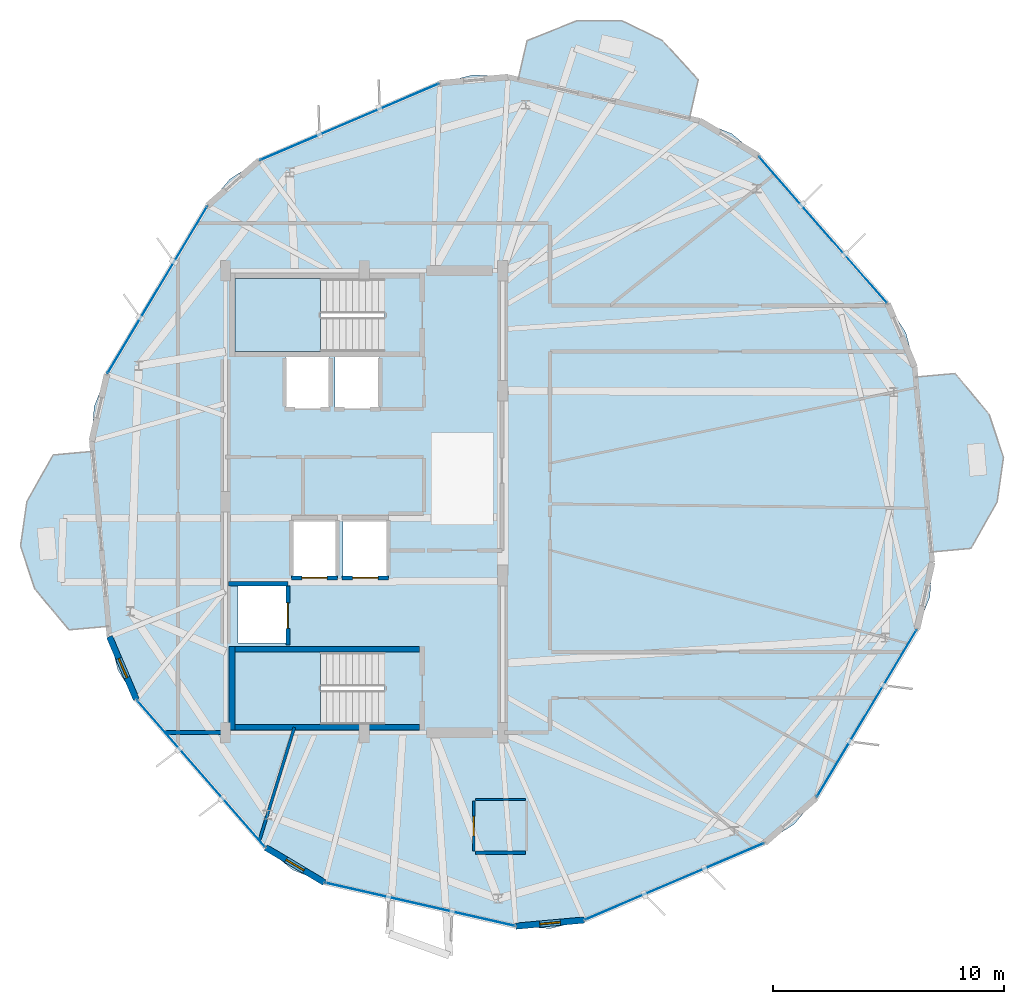
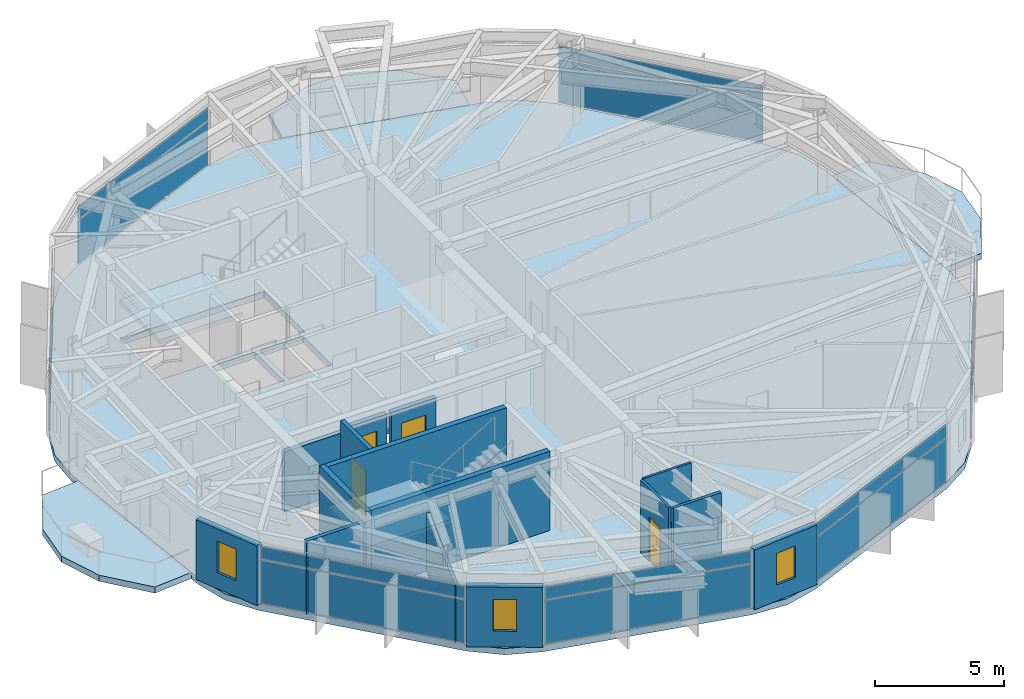
# One storey, part 17 of 23: 15 walls, 14 plates, 6 slabs, 4 doors, 3 windows, 7 openings, 9 elements without a shape of their own.
"""IFC4 building model written with IfcOpenShell, lengths in metres."""

from ifc_helpers import new_model, si_unit, direction, frame, frame_2d, origin, origin_2d, place, context, subcontext, project, spatial, polyline, rectangle, outline, extrude, material, layer, layer_set, type_object, element, fill, aggregate, save


model = new_model("IFC4")

# Units and contexts
model_context = context("Model", 3, precision=1e-05, world=origin(), true_north=direction((0.0, 1.0)))
body_context = subcontext(model_context, "Body", "Model", "MODEL_VIEW")
ifc_project = project(units=[si_unit("LENGTHUNIT", "METRE"), si_unit("AREAUNIT", "SQUARE_METRE"), si_unit("VOLUMEUNIT", "CUBIC_METRE"), si_unit("PLANEANGLEUNIT", "RADIAN"), si_unit("MASSUNIT", "GRAM", prefix="KILO")], contexts=[model_context])

# Site, building, storey
site_placement = place(None, origin())
site = spatial("IfcSite", under=ifc_project, at=site_placement, CompositionType="ELEMENT")
building_placement = place(site_placement, origin())
building = spatial("IfcBuilding", under=site, at=building_placement, Name="Soratama Intermodal Tower", CompositionType="ELEMENT")
storey_placement = place(building_placement, frame((0.0, 0.0, 250.0)))
storey = spatial("IfcBuildingStorey", under=building, at=storey_placement, Name="L63", CompositionType="ELEMENT", Elevation=250.0)

# Curtain wall, plates
ifc_material_1 = material(Name="Double-glazed aluminium curtain wall", Category="aluminium")
ifc_layer_1 = layer(ifc_material_1, 0.159912109375)
ifc_layer_set_1 = layer_set([ifc_layer_1], Name="Double-glazed aluminium curtain wall")
curtain_wall_type = type_object("IfcCurtainWallType", Name="CW-SYS-5", PredefinedType="NOTDEFINED", material=ifc_layer_set_1)
curtain_wall_1_placement = place(storey_placement, origin())
curtain_wall_1 = element("IfcCurtainWall", 1, at=curtain_wall_1_placement, inside=storey, type_object=curtain_wall_type, Name="L63 Faceted Curtain Wall F02", PredefinedType="NOTDEFINED")
ifc_material_2 = material(Name="Low-E laminated double glazing", Category="glass")
ifc_layer_2 = layer(ifc_material_2, 0.02001953125)
ifc_layer_set_2 = layer_set([ifc_layer_2], Name="Low-E laminated double glazing")
plate_type = type_object("IfcPlateType", Name="PT-CWP-5", PredefinedType="CURTAIN_PANEL", material=ifc_layer_set_2)
plate_1_placement = place(storey_placement, frame((37.9677734375, 41.43896484375, 0.06005859375), z_axis=(0.0, 0.0, 1.0), x_axis=(-0.919410746606, -0.393298714752, 0.0)))
plate_1 = element("IfcPlate", 2, at=plate_1_placement, type_object=plate_type, Name="CW-5 panel 1.1", PredefinedType="CURTAIN_PANEL", context=body_context, shape_type="SweptSolid", body=[
    extrude(rectangle(XDim=8.3798828125, YDim=0.028076171875, at=origin_2d()), origin(), (0.0, 0.0, 1.0), 2.06005859375),
])
plate_2_placement = place(storey_placement, frame((37.9677734375, 41.43896484375, 2.18017578125), z_axis=(0.0, 0.0, 1.0), x_axis=(-0.919410746606, -0.393298714752, 0.0)))
plate_2 = element("IfcPlate", 3, at=plate_2_placement, type_object=plate_type, Name="CW-5 panel 1.2", PredefinedType="CURTAIN_PANEL", context=body_context, shape_type="SweptSolid", body=[
    extrude(rectangle(XDim=8.3798828125, YDim=0.028076171875, at=origin_2d()), origin(), (0.0, 0.0, 1.0), 0.589111328125),
])
aggregate(curtain_wall_1, [plate_1, plate_2])

curtain_wall_2_placement = place(storey_placement, origin())
curtain_wall_2 = element("IfcCurtainWall", 4, at=curtain_wall_2_placement, inside=storey, type_object=curtain_wall_type, Name="L63 Faceted Curtain Wall F03", PredefinedType="NOTDEFINED")
plate_3_placement = place(storey_placement, frame((29.648193359375, 34.166015625, 0.06005859375), z_axis=(0.0, 0.0, 1.0), x_axis=(-0.512643316385, -0.85860167142, 0.0)))
plate_3 = element("IfcPlate", 5, at=plate_3_placement, type_object=plate_type, Name="CW-5 panel 1.1", PredefinedType="CURTAIN_PANEL", context=body_context, shape_type="SweptSolid", body=[
    extrude(rectangle(XDim=8.3798828125, YDim=0.028076171875, at=origin_2d()), origin(), (0.0, 0.0, 1.0), 2.06005859375),
])
plate_4_placement = place(storey_placement, frame((29.648193359375, 34.166015625, 2.18017578125), z_axis=(0.0, 0.0, 1.0), x_axis=(-0.512643316385, -0.85860167142, 0.0)))
plate_4 = element("IfcPlate", 6, at=plate_4_placement, type_object=plate_type, Name="CW-5 panel 1.2", PredefinedType="CURTAIN_PANEL", context=body_context, shape_type="SweptSolid", body=[
    extrude(rectangle(XDim=8.3798828125, YDim=0.028076171875, at=origin_2d()), origin(), (0.0, 0.0, 1.0), 0.589111328125),
])
aggregate(curtain_wall_2, [plate_3, plate_4])

curtain_wall_3_placement = place(storey_placement, origin())
curtain_wall_3 = element("IfcCurtainWall", 7, at=curtain_wall_3_placement, inside=storey, type_object=curtain_wall_type, Name="L63 Faceted Curtain Wall F05", PredefinedType="NOTDEFINED")
plate_5_placement = place(storey_placement, frame((31.538818359375, 13.232177734375, 0.06005859375), z_axis=(0.0, 0.0, 1.0), x_axis=(0.658158875805, -0.752879070103, 0.0)))
plate_5 = element("IfcPlate", 8, at=plate_5_placement, type_object=plate_type, Name="CW-5 panel 1.1", PredefinedType="CURTAIN_PANEL", context=body_context, shape_type="SweptSolid", body=[
    extrude(rectangle(XDim=8.3798828125, YDim=0.028076171875, at=origin_2d()), origin(), (0.0, 0.0, 1.0), 2.06005859375),
])
plate_6_placement = place(storey_placement, frame((31.538818359375, 13.232177734375, 2.18017578125), z_axis=(0.0, 0.0, 1.0), x_axis=(0.658158875805, -0.752879070103, 0.0)))
plate_6 = element("IfcPlate", 9, at=plate_6_placement, type_object=plate_type, Name="CW-5 panel 1.2", PredefinedType="CURTAIN_PANEL", context=body_context, shape_type="SweptSolid", body=[
    extrude(rectangle(XDim=8.3798828125, YDim=0.028076171875, at=origin_2d()), origin(), (0.0, 0.0, 1.0), 0.589111328125),
])
aggregate(curtain_wall_3, [plate_5, plate_6])

curtain_wall_4_placement = place(storey_placement, origin())
curtain_wall_4 = element("IfcCurtainWall", 10, at=curtain_wall_4_placement, inside=storey, type_object=curtain_wall_type, Name="L63 Faceted Curtain Wall F06", PredefinedType="NOTDEFINED")
plate_7_placement = place(storey_placement, frame((41.026611328125, 7.567138671875, 0.06005859375), z_axis=(0.0, 0.0, 1.0), x_axis=(0.97499479324, -0.222227705641, 0.0)))
plate_7 = element("IfcPlate", 11, at=plate_7_placement, type_object=plate_type, Name="CW-5 panel 1.1", PredefinedType="CURTAIN_PANEL", context=body_context, shape_type="SweptSolid", body=[
    extrude(rectangle(XDim=8.3798828125, YDim=0.028076171875, at=origin_2d()), origin(), (0.0, 0.0, 1.0), 2.06005859375),
])
plate_8_placement = place(storey_placement, frame((41.026611328125, 7.567138671875, 2.18017578125), z_axis=(0.0, 0.0, 1.0), x_axis=(0.97499479324, -0.222227705641, 0.0)))
plate_8 = element("IfcPlate", 12, at=plate_8_placement, type_object=plate_type, Name="CW-5 panel 1.2", PredefinedType="CURTAIN_PANEL", context=body_context, shape_type="SweptSolid", body=[
    extrude(rectangle(XDim=8.3798828125, YDim=0.028076171875, at=origin_2d()), origin(), (0.0, 0.0, 1.0), 0.589111328125),
])
aggregate(curtain_wall_4, [plate_7, plate_8])

curtain_wall_5_placement = place(storey_placement, origin())
curtain_wall_5 = element("IfcCurtainWall", 13, at=curtain_wall_5_placement, inside=storey, type_object=curtain_wall_type, Name="L63 Faceted Curtain Wall F07", PredefinedType="NOTDEFINED")
plate_9_placement = place(storey_placement, frame((52.0322265625, 8.56103515625, 0.06005859375), z_axis=(0.0, 0.0, 1.0), x_axis=(0.919410746606, 0.393298714752, 0.0)))
plate_9 = element("IfcPlate", 14, at=plate_9_placement, type_object=plate_type, Name="CW-5 panel 1.1", PredefinedType="CURTAIN_PANEL", context=body_context, shape_type="SweptSolid", body=[
    extrude(rectangle(XDim=8.3798828125, YDim=0.028076171875, at=origin_2d()), origin(), (0.0, 0.0, 1.0), 2.06005859375),
])
plate_10_placement = place(storey_placement, frame((52.0322265625, 8.56103515625, 2.18017578125), z_axis=(0.0, 0.0, 1.0), x_axis=(0.919410746606, 0.393298714752, 0.0)))
plate_10 = element("IfcPlate", 15, at=plate_10_placement, type_object=plate_type, Name="CW-5 panel 1.2", PredefinedType="CURTAIN_PANEL", context=body_context, shape_type="SweptSolid", body=[
    extrude(rectangle(XDim=8.3798828125, YDim=0.028076171875, at=origin_2d()), origin(), (0.0, 0.0, 1.0), 0.589111328125),
])
aggregate(curtain_wall_5, [plate_9, plate_10])

curtain_wall_6_placement = place(storey_placement, origin())
curtain_wall_6 = element("IfcCurtainWall", 16, at=curtain_wall_6_placement, inside=storey, type_object=curtain_wall_type, Name="L63 Faceted Curtain Wall F08", PredefinedType="NOTDEFINED")
plate_11_placement = place(storey_placement, frame((60.351806640625, 15.833984375, 0.06005859375), z_axis=(0.0, 0.0, 1.0), x_axis=(0.512643316385, 0.85860167142, 0.0)))
plate_11 = element("IfcPlate", 17, at=plate_11_placement, type_object=plate_type, Name="CW-5 panel 1.1", PredefinedType="CURTAIN_PANEL", context=body_context, shape_type="SweptSolid", body=[
    extrude(rectangle(XDim=8.3798828125, YDim=0.028076171875, at=origin_2d()), origin(), (0.0, 0.0, 1.0), 2.06005859375),
])
plate_12_placement = place(storey_placement, frame((60.351806640625, 15.833984375, 2.18017578125), z_axis=(0.0, 0.0, 1.0), x_axis=(0.512643316385, 0.85860167142, 0.0)))
plate_12 = element("IfcPlate", 18, at=plate_12_placement, type_object=plate_type, Name="CW-5 panel 1.2", PredefinedType="CURTAIN_PANEL", context=body_context, shape_type="SweptSolid", body=[
    extrude(rectangle(XDim=8.3798828125, YDim=0.028076171875, at=origin_2d()), origin(), (0.0, 0.0, 1.0), 0.589111328125),
])
aggregate(curtain_wall_6, [plate_11, plate_12])

curtain_wall_7_placement = place(storey_placement, origin())
curtain_wall_7 = element("IfcCurtainWall", 19, at=curtain_wall_7_placement, inside=storey, type_object=curtain_wall_type, Name="L63 Faceted Curtain Wall F10", PredefinedType="NOTDEFINED")
plate_13_placement = place(storey_placement, frame((58.461181640625, 36.767822265625, 0.06005859375), z_axis=(0.0, 0.0, 1.0), x_axis=(-0.658158875805, 0.752879070103, 0.0)))
plate_13 = element("IfcPlate", 20, at=plate_13_placement, type_object=plate_type, Name="CW-5 panel 1.1", PredefinedType="CURTAIN_PANEL", context=body_context, shape_type="SweptSolid", body=[
    extrude(rectangle(XDim=8.3798828125, YDim=0.028076171875, at=origin_2d()), origin(), (0.0, 0.0, 1.0), 2.06005859375),
])
plate_14_placement = place(storey_placement, frame((58.461181640625, 36.767822265625, 2.18017578125), z_axis=(0.0, 0.0, 1.0), x_axis=(-0.658158875805, 0.752879070103, 0.0)))
plate_14 = element("IfcPlate", 21, at=plate_14_placement, type_object=plate_type, Name="CW-5 panel 1.2", PredefinedType="CURTAIN_PANEL", context=body_context, shape_type="SweptSolid", body=[
    extrude(rectangle(XDim=8.3798828125, YDim=0.028076171875, at=origin_2d()), origin(), (0.0, 0.0, 1.0), 0.589111328125),
])
aggregate(curtain_wall_7, [plate_13, plate_14])

# Slabs
ifc_material_3 = material(Name="Concrete f'c 42 MPa", Category="concrete")
ifc_layer_3 = layer(ifc_material_3, 0.2900390625)
ifc_layer_set_3 = layer_set([ifc_layer_3], Name="Concrete f'c 42 MPa")
slab_type_1 = type_object("IfcSlabType", Name="SL-EXT-BAL2", PredefinedType="FLOOR", material=ifc_layer_set_3)
slab_1_placement = place(storey_placement, frame((0.0, 0.0, -0.2900390625)))
element("IfcSlab", 22, at=slab_1_placement, inside=storey, type_object=slab_type_1, Name="L63 Planted Balcony East 1", PredefinedType="FLOOR", context=body_context, shape_type="SweptSolid", body=[
    extrude(outline(polyline([(63.149169921875, 22.823486328125), (62.4658203125, 30.392578125), (64.1787109375, 30.547119140625), (65.6552734375, 28.77294921875), (66.273193359375, 26.9208984375), (65.996826171875, 24.98828125), (64.8623046875, 22.978271484375), (63.149169921875, 22.823486328125)])), origin(), (0.0, 0.0, 1.0), 0.2900390625),
])
slab_2_placement = place(storey_placement, frame((0.0, 0.0, -0.2900390625)))
element("IfcSlab", 23, at=slab_2_placement, inside=storey, type_object=slab_type_1, Name="L63 Planted Balcony North 2", PredefinedType="FLOOR", context=body_context, shape_type="SweptSolid", body=[
    extrude(outline(polyline([(52.678466796875, 41.58837890625), (45.2685546875, 43.277099609375), (45.65087890625, 44.9541015625), (47.794677734375, 45.81005859375), (49.746826171875, 45.82568359375), (51.49951171875, 44.9658203125), (53.060546875, 43.265380859375), (52.678466796875, 41.58837890625)])), origin(), (0.0, 0.0, 1.0), 0.2900390625),
])
slab_3_placement = place(storey_placement, frame((0.0, 0.0, -0.2900390625)))
element("IfcSlab", 24, at=slab_3_placement, inside=storey, type_object=slab_type_1, Name="L63 Planted Balcony West 3", PredefinedType="FLOOR", context=body_context, shape_type="SweptSolid", body=[
    extrude(outline(polyline([(26.850830078125, 27.176513671875), (27.5341796875, 19.607421875), (25.8212890625, 19.452880859375), (24.3447265625, 21.22705078125), (23.726806640625, 23.0791015625), (24.003173828125, 25.01171875), (25.1376953125, 27.021728515625), (26.850830078125, 27.176513671875)])), origin(), (0.0, 0.0, 1.0), 0.2900390625),
])

# Stair, slab
ifc_material_4 = material(Name="Concrete f'c 42 MPa", Category="concrete")
stair_type = type_object("IfcStairType", Name="ST-CORE-DOGLEG", PredefinedType="HALF_TURN_STAIR", material=ifc_material_4)
stair_1_placement = place(storey_placement, origin())
stair_1 = element("IfcStair", 25, at=stair_1_placement, inside=storey, type_object=stair_type, Name="L63 ST-1", PredefinedType="HALF_TURN_STAIR")
ifc_material_5 = material(Name="Concrete f'c 42 MPa", Category="concrete")
ifc_layer_4 = layer(ifc_material_5, 0.219970703125)
ifc_layer_set_4 = layer_set([ifc_layer_4], Name="Concrete f'c 42 MPa")
slab_type_2 = type_object("IfcSlabType", Name="SL-STAIR-LAND", PredefinedType="LANDING", material=ifc_layer_set_4)
slab_4_placement = place(storey_placement, frame((0.0, 0.0, 1.675048828125)))
slab_4 = element("IfcSlab", 26, at=slab_4_placement, type_object=slab_type_2, Name="ST-1 landing 1", PredefinedType="LANDING", context=body_context, shape_type="SweptSolid", body=[
    extrude(outline(polyline([(36.699951171875, 18.5), (33.0, 18.5), (33.0, 15.35009765625), (36.699951171875, 15.35009765625), (36.699951171875, 18.5)])), origin(), (0.0, 0.0, 1.0), 0.199951171875),
])
aggregate(stair_1, [slab_4])

stair_2_placement = place(storey_placement, origin())
stair_2 = element("IfcStair", 27, at=stair_2_placement, inside=storey, type_object=stair_type, Name="L63 ST-2", PredefinedType="HALF_TURN_STAIR")
slab_5_placement = place(storey_placement, frame((0.0, 0.0, 1.675048828125)))
slab_5 = element("IfcSlab", 28, at=slab_5_placement, type_object=slab_type_2, Name="ST-2 landing 1", PredefinedType="LANDING", context=body_context, shape_type="SweptSolid", body=[
    extrude(outline(polyline([(36.699951171875, 34.64990234375), (33.0, 34.64990234375), (33.0, 31.5), (36.699951171875, 31.5), (36.699951171875, 34.64990234375)])), origin(), (0.0, 0.0, 1.0), 0.199951171875),
])
aggregate(stair_2, [slab_5])

# Slab
ifc_material_6 = material(Name="Concrete f'c 42 MPa", Category="concrete")
ifc_layer_5 = layer(ifc_material_6, 0.280029296875)
ifc_layer_set_5 = layer_set([ifc_layer_5], Name="Concrete f'c 42 MPa")
slab_type_3 = type_object("IfcSlabType", Name="SL-TWR-280", PredefinedType="FLOOR", material=ifc_layer_set_5)
slab_6_placement = place(storey_placement, frame((0.0, 0.0, -0.300048828125)))
element("IfcSlab", 29, at=slab_6_placement, inside=storey, type_object=slab_type_3, Name="L63 Structural Floor Slab", PredefinedType="FLOOR", context=body_context, shape_type="SweptSolid", body=[
    extrude(outline(polyline([(55.664306640625, 39.967529296875), (54.510986328125, 40.9296875), (53.1171875, 41.48828125), (44.829833984375, 43.377197265625), (43.331298828125, 43.477783203125), (41.875244140625, 43.1103515625), (34.060302734375, 39.767333984375), (32.7890625, 38.968017578125), (31.826904296875, 37.81494140625), (27.469482421875, 30.51708984375), (26.910888671875, 29.123046875), (26.810302734375, 27.62451171875), (27.57470703125, 19.1591796875), (27.942138671875, 17.703125), (28.74169921875, 16.431884765625), (34.335693359375, 10.032470703125), (35.489013671875, 9.0703125), (36.8828125, 8.51171875), (45.170166015625, 6.622802734375), (46.668701171875, 6.522216796875), (48.124755859375, 6.8896484375), (55.939697265625, 10.232666015625), (57.2109375, 11.031982421875), (58.173095703125, 12.18505859375), (62.530517578125, 19.48291015625), (63.089111328125, 20.876953125), (63.189697265625, 22.37548828125), (62.42529296875, 30.8408203125), (62.057861328125, 32.296875), (61.25830078125, 33.568115234375), (55.664306640625, 39.967529296875)]), holes=[polyline([(33.0, 15.35009765625), (39.47509765625, 15.35009765625), (39.47509765625, 18.5), (33.0, 18.5), (33.0, 15.35009765625)]), polyline([(35.260009765625, 21.409912109375), (33.139892578125, 21.409912109375), (33.139892578125, 18.889892578125), (35.260009765625, 18.889892578125), (35.260009765625, 21.409912109375)]), polyline([(37.409912109375, 24.260009765625), (35.489990234375, 24.260009765625), (35.489990234375, 21.739990234375), (37.409912109375, 21.739990234375), (37.409912109375, 24.260009765625)]), polyline([(39.610107421875, 24.260009765625), (37.68994140625, 24.260009765625), (37.68994140625, 21.739990234375), (39.610107421875, 21.739990234375), (39.610107421875, 24.260009765625)]), polyline([(37.110107421875, 31.260009765625), (35.18994140625, 31.260009765625), (35.18994140625, 29.0400390625), (37.110107421875, 29.0400390625), (37.110107421875, 31.260009765625)]), polyline([(39.260009765625, 31.260009765625), (37.340087890625, 31.260009765625), (37.340087890625, 29.0400390625), (39.260009765625, 29.0400390625), (39.260009765625, 31.260009765625)]), polyline([(33.0, 34.64990234375), (33.0, 31.5), (39.47509765625, 31.5), (39.47509765625, 34.64990234375), (33.0, 34.64990234375)])]), origin(), (0.0, 0.0, 1.0), 0.300048828125),
])

# Wall, opening, window
ifc_material_7 = material(Name="Concrete f'c 42 MPa", Category="concrete")
ifc_layer_6 = layer(ifc_material_7, 0.27001953125)
ifc_layer_set_6 = layer_set([ifc_layer_6], Name="Concrete f'c 42 MPa")
wall_type_1 = type_object("IfcWallType", Name="EW-CRN-270", PredefinedType="SOLIDWALL", material=ifc_layer_set_6)
wall_1_placement = place(storey_placement, frame((27.57470703125, 19.1591796875, 0.0), z_axis=(0.0, 0.0, 1.0), x_axis=(0.393392799369, -0.919370494091, 0.0)))
wall_1 = element("IfcWall", 30, at=wall_1_placement, inside=storey, type_object=wall_type_1, Name="L63 Corner Closure Wall 04", PredefinedType="SOLIDWALL", context=body_context, shape_type="SweptSolid", body=[
    extrude(rectangle(XDim=2.966552734375, YDim=0.27001953125, at=frame_2d((1.4833984375, 0.0))), origin(), (0.0, 0.0, 1.0), 2.8291015625),
])
opening_1_placement = place(wall_1_placement, frame((1.033203125, 0.0, 0.75)))
opening_1 = element("IfcOpeningElement", 31, at=opening_1_placement, cuts=wall_1, Name="Opening WN-6", PredefinedType="OPENING", context=body_context, shape_type="SweptSolid", body=[
    extrude(rectangle(XDim=0.89990234375, YDim=1.5, at=frame_2d((0.449951171875, 0.75))), frame((0.0, 0.14501953125, 0.0), z_axis=(0.0, -1.0, 0.0), x_axis=(1.0, 0.0, 0.0)), (0.0, 0.0, 1.0), 0.2900390625),
])
ifc_material_8 = material(Name="Double-glazed aluminium window", Category="aluminium")
window_type = type_object("IfcWindowType", Name="WN-FAC-900", PartitioningType="SINGLE_PANEL", PredefinedType="WINDOW", material=ifc_material_8)
window_1_placement = place(opening_1_placement, origin())
window_1 = element("IfcWindow", 32, at=window_1_placement, inside=storey, type_object=window_type, Name="L63 Corner Window 04", OverallHeight=1.5, OverallWidth=0.89990234375, PartitioningType="SINGLE_PANEL", PredefinedType="WINDOW", context=body_context, shape_type="SweptSolid", body=[
    extrude(rectangle(XDim=0.89990234375, YDim=1.5, at=frame_2d((0.449951171875, 0.75))), frame((0.0, 0.030029296875, 0.0), z_axis=(0.0, -1.0, 0.0), x_axis=(1.0, 0.0, 0.0)), (0.0, 0.0, 1.0), 0.06005859375),
])
fill(opening_1, window_1)

wall_2_placement = place(storey_placement, frame((34.335693359375, 10.032470703125, 0.0), z_axis=(0.0, 0.0, 1.0), x_axis=(0.858609177154, -0.512630745183, 0.0)))
wall_2 = element("IfcWall", 33, at=wall_2_placement, inside=storey, type_object=wall_type_1, Name="L63 Corner Closure Wall 05", PredefinedType="SOLIDWALL", context=body_context, shape_type="SweptSolid", body=[
    extrude(rectangle(XDim=2.966552734375, YDim=0.27001953125, at=frame_2d((1.4833984375, 0.0))), origin(), (0.0, 0.0, 1.0), 2.8291015625),
])
opening_2_placement = place(wall_2_placement, frame((1.033203125, 0.0, 0.75)))
opening_2 = element("IfcOpeningElement", 34, at=opening_2_placement, cuts=wall_2, Name="Opening WN-6", PredefinedType="OPENING", context=body_context, shape_type="SweptSolid", body=[
    extrude(rectangle(XDim=0.89990234375, YDim=1.5, at=frame_2d((0.449951171875, 0.75))), frame((0.0, 0.14501953125, 0.0), z_axis=(0.0, -1.0, 0.0), x_axis=(1.0, 0.0, 0.0)), (0.0, 0.0, 1.0), 0.2900390625),
])
window_2_placement = place(opening_2_placement, origin())
window_2 = element("IfcWindow", 35, at=window_2_placement, inside=storey, type_object=window_type, Name="L63 Corner Window 05", OverallHeight=1.5, OverallWidth=0.89990234375, PartitioningType="SINGLE_PANEL", PredefinedType="WINDOW", context=body_context, shape_type="SweptSolid", body=[
    extrude(rectangle(XDim=0.89990234375, YDim=1.5, at=frame_2d((0.449951171875, 0.75))), frame((0.0, 0.030029296875, 0.0), z_axis=(0.0, -1.0, 0.0), x_axis=(1.0, 0.0, 0.0)), (0.0, 0.0, 1.0), 0.06005859375),
])
fill(opening_2, window_2)

wall_3_placement = place(storey_placement, frame((45.170166015625, 6.622802734375, 0.0), z_axis=(0.0, 0.0, 1.0), x_axis=(0.995946323989, 0.089949539921, 0.0)))
wall_3 = element("IfcWall", 36, at=wall_3_placement, inside=storey, type_object=wall_type_1, Name="L63 Corner Closure Wall 06", PredefinedType="SOLIDWALL", context=body_context, shape_type="SweptSolid", body=[
    extrude(rectangle(XDim=2.966552734375, YDim=0.27001953125, at=frame_2d((1.4833984375, 0.0))), origin(), (0.0, 0.0, 1.0), 2.8291015625),
])
opening_3_placement = place(wall_3_placement, frame((1.033203125, 0.0, 0.75)))
opening_3 = element("IfcOpeningElement", 37, at=opening_3_placement, cuts=wall_3, Name="Opening WN-6", PredefinedType="OPENING", context=body_context, shape_type="SweptSolid", body=[
    extrude(rectangle(XDim=0.89990234375, YDim=1.5, at=frame_2d((0.449951171875, 0.75))), frame((0.0, 0.14501953125, 0.0), z_axis=(0.0, -1.0, 0.0), x_axis=(1.0, 0.0, 0.0)), (0.0, 0.0, 1.0), 0.2900390625),
])
window_3_placement = place(opening_3_placement, origin())
window_3 = element("IfcWindow", 38, at=window_3_placement, inside=storey, type_object=window_type, Name="L63 Corner Window 06", OverallHeight=1.5, OverallWidth=0.89990234375, PartitioningType="SINGLE_PANEL", PredefinedType="WINDOW", context=body_context, shape_type="SweptSolid", body=[
    extrude(rectangle(XDim=0.89990234375, YDim=1.5, at=frame_2d((0.449951171875, 0.75))), frame((0.0, 0.030029296875, 0.0), z_axis=(0.0, -1.0, 0.0), x_axis=(1.0, 0.0, 0.0)), (0.0, 0.0, 1.0), 0.06005859375),
])
fill(opening_3, window_3)

# Walls
ifc_material_9 = material(Name="Fire-rated gypsum stud partition", Category="concrete")
ifc_layer_7 = layer(ifc_material_9, 0.169921875)
ifc_layer_set_7 = layer_set([ifc_layer_7], Name="Fire-rated gypsum stud partition")
wall_type_2 = type_object("IfcWallType", Name="IW-PART-R170", PredefinedType="PARTITIONING", material=ifc_layer_set_7)
wall_4_placement = place(storey_placement, frame((32.530029296875, 15.0, 0.0), z_axis=(0.0, 0.0, 1.0), x_axis=(-1.0, 0.0, 0.0)))
element("IfcWall", 39, at=wall_4_placement, inside=storey, type_object=wall_type_2, Name="L63 Partition W-L63-TP023", PredefinedType="PARTITIONING", context=body_context, shape_type="SweptSolid", body=[
    extrude(rectangle(XDim=2.537109375, YDim=0.169921875, at=frame_2d((1.2685546875, 0.0))), origin(), (0.0, 0.0, 1.0), 3.449951171875),
])
ifc_material_10 = material(Name="Fire-rated gypsum stud partition", Category="concrete")
ifc_layer_8 = layer(ifc_material_10, 0.10009765625)
ifc_layer_set_8 = layer_set([ifc_layer_8], Name="Fire-rated gypsum stud partition")
wall_type_3 = type_object("IfcWallType", Name="IW-PART-S100", PredefinedType="PARTITIONING", material=ifc_layer_set_8)
wall_5_placement = place(storey_placement, frame((45.576904296875, 12.10693359375, 0.0), z_axis=(0.0, 0.0, 1.0), x_axis=(-1.0, 0.0, 0.0)))
element("IfcWall", 40, at=wall_5_placement, inside=storey, type_object=wall_type_3, Name="L63 Partition W-L63-TP029", PredefinedType="PARTITIONING", context=body_context, shape_type="SweptSolid", body=[
    extrude(rectangle(XDim=2.159912109375, YDim=0.10009765625, at=frame_2d((1.080078125, 0.0))), origin(), (0.0, 0.0, 1.0), 3.449951171875),
])

# Wall, opening, door
ifc_material_11 = material(Name="Fire-rated gypsum stud partition", Category="concrete")
ifc_layer_9 = layer(ifc_material_11, 0.1201171875)
ifc_layer_set_9 = layer_set([ifc_layer_9], Name="Fire-rated gypsum stud partition")
wall_type_4 = type_object("IfcWallType", Name="IW-PART-S120", PredefinedType="PARTITIONING", material=ifc_layer_set_9)
wall_6_placement = place(storey_placement, frame((43.346923828125, 12.037109375, 0.0), z_axis=(0.0, 0.0, 1.0), x_axis=(0.0, -1.0, 0.0)))
wall_6 = element("IfcWall", 41, at=wall_6_placement, inside=storey, type_object=wall_type_4, Name="L63 Partition W-L63-TP027", PredefinedType="PARTITIONING", context=body_context, shape_type="SweptSolid", body=[
    extrude(rectangle(XDim=2.16015625, YDim=0.1201171875, at=frame_2d((1.080078125, 0.0))), origin(), (0.0, 0.0, 1.0), 3.449951171875),
])
opening_4_placement = place(wall_6_placement, frame((0.655029296875, 0.0, 0.0)))
opening_4 = element("IfcOpeningElement", 42, at=opening_4_placement, cuts=wall_6, Name="Opening ID-4", PredefinedType="OPENING", context=body_context, shape_type="SweptSolid", body=[
    extrude(rectangle(XDim=0.85009765625, YDim=2.10009765625, at=frame_2d((0.425048828125, 1.050048828125))), frame((0.0, 0.070068359375, 0.0), z_axis=(0.0, -1.0, 0.0), x_axis=(1.0, 0.0, 0.0)), (0.0, 0.0, 1.0), 0.14013671875),
])
ifc_material_12 = material(Name="Solid hardwood acoustic door", Category="wood")
door_type_1 = type_object("IfcDoorType", Name="DR-BATH-850", OperationType="NOTDEFINED", PredefinedType="DOOR", material=ifc_material_12)
door_1_placement = place(opening_4_placement, origin())
door_1 = element("IfcDoor", 43, at=door_1_placement, inside=storey, type_object=door_type_1, Name="L63 Door D-L63-TP013", OperationType="SINGLE_SWING_RIGHT", OverallHeight=2.10009765625, OverallWidth=0.85009765625, PredefinedType="DOOR", context=body_context, shape_type="SweptSolid", body=[
    extrude(rectangle(XDim=0.85009765625, YDim=2.10009765625, at=frame_2d((0.425048828125, 1.050048828125))), frame((0.0, 0.02490234375, 0.0), z_axis=(0.0, -1.0, 0.0), x_axis=(1.0, 0.0, 0.0)), (0.0, 0.0, 1.0), 0.050048828125),
])
fill(opening_4, door_1)

# Walls
ifc_material_13 = material(Name="Fire-rated gypsum stud partition", Category="concrete")
ifc_layer_10 = layer(ifc_material_13, 0.1298828125)
ifc_layer_set_10 = layer_set([ifc_layer_10], Name="Fire-rated gypsum stud partition")
wall_type_5 = type_object("IfcWallType", Name="IW-PART-S130", PredefinedType="PARTITIONING", material=ifc_layer_set_10)
wall_7_placement = place(storey_placement, frame((35.580078125, 15.22998046875, 0.0), z_axis=(0.0, 0.0, 1.0), x_axis=(-0.295281740196, -0.95541022284, 0.0)))
element("IfcWall", 44, at=wall_7_placement, inside=storey, type_object=wall_type_5, Name="L63 Partition W-L63-TP016", PredefinedType="PARTITIONING", context=body_context, shape_type="SweptSolid", body=[
    extrude(rectangle(XDim=5.120361328125, YDim=0.1298828125, at=frame_2d((2.56005859375, 0.0))), origin(), (0.0, 0.0, 1.0), 2.7451171875),
])
ifc_material_14 = material(Name="Fire-rated gypsum stud partition", Category="concrete")
ifc_layer_11 = layer(ifc_material_14, 0.139892578125)
ifc_layer_set_11 = layer_set([ifc_layer_11], Name="Fire-rated gypsum stud partition")
wall_type_6 = type_object("IfcWallType", Name="IW-PART-S140", PredefinedType="PARTITIONING", material=ifc_layer_set_11)
wall_8_placement = place(storey_placement, frame((43.4169921875, 9.806884765625, 0.0), z_axis=(0.0, 0.0, 1.0), x_axis=(1.0, 0.0, 0.0)))
element("IfcWall", 45, at=wall_8_placement, inside=storey, type_object=wall_type_6, Name="L63 Partition W-L63-TP030", PredefinedType="PARTITIONING", context=body_context, shape_type="SweptSolid", body=[
    extrude(rectangle(XDim=2.159912109375, YDim=0.139892578125, at=frame_2d((1.080078125, 0.0))), origin(), (0.0, 0.0, 1.0), 3.449951171875),
])

# Wall, opening, door
ifc_material_15 = material(Name="Concrete f'c 42 MPa", Category="concrete")
ifc_layer_12 = layer(ifc_material_15, 0.18505859375)
ifc_layer_set_12 = layer_set([ifc_layer_12], Name="Concrete f'c 42 MPa")
wall_type_7 = type_object("IfcWallType", Name="IW-SHAFT-185", PredefinedType="SOLIDWALL", material=ifc_layer_set_12)
wall_9_placement = place(storey_placement, frame((35.449951171875, 21.699951171875, 0.0), z_axis=(0.0, 0.0, 1.0), x_axis=(1.0, 0.0, 0.0)))
wall_9 = element("IfcWall", 46, at=wall_9_placement, inside=storey, type_object=wall_type_7, Name="L63 FFL-1 Hoistway Wall S", PredefinedType="SOLIDWALL", context=body_context, shape_type="SweptSolid", body=[
    extrude(rectangle(XDim=2.0, YDim=0.18505859375, at=frame_2d((1.0, 0.0))), origin(), (0.0, 0.0, 1.0), 2.823974609375),
])
opening_5_placement = place(wall_9_placement, frame((0.449951171875, 0.0, 0.0)))
opening_5 = element("IfcOpeningElement", 47, at=opening_5_placement, cuts=wall_9, Name="Opening LD-1", PredefinedType="OPENING", context=body_context, shape_type="SweptSolid", body=[
    extrude(rectangle(XDim=1.10009765625, YDim=2.14990234375, at=frame_2d((0.550048828125, 1.074951171875))), frame((0.0, 0.1025390625, 0.0), z_axis=(0.0, -1.0, 0.0), x_axis=(1.0, 0.0, 0.0)), (0.0, 0.0, 1.0), 0.205078125),
])
ifc_material_16 = material(Name="Steel fire door", Category="steel")
door_type_2 = type_object("IfcDoorType", Name="DR-LIFT-SLIDE", OperationType="NOTDEFINED", PredefinedType="DOOR", material=ifc_material_16)
door_2_placement = place(opening_5_placement, origin())
door_2 = element("IfcDoor", 48, at=door_2_placement, inside=storey, type_object=door_type_2, Name="L63 FFL-1 Sliding Landing Door", OperationType="SLIDING_TO_LEFT", OverallHeight=2.14990234375, OverallWidth=1.10009765625, PredefinedType="DOOR", context=body_context, shape_type="SweptSolid", body=[
    extrude(rectangle(XDim=1.10009765625, YDim=2.14990234375, at=frame_2d((0.550048828125, 1.074951171875))), frame((0.0, 0.02490234375, 0.0), z_axis=(0.0, -1.0, 0.0), x_axis=(1.0, 0.0, 0.0)), (0.0, 0.0, 1.0), 0.050048828125),
])
fill(opening_5, door_2)

wall_10_placement = place(storey_placement, frame((37.64990234375, 21.699951171875, 0.0), z_axis=(0.0, 0.0, 1.0), x_axis=(1.0, 0.0, 0.0)))
wall_10 = element("IfcWall", 49, at=wall_10_placement, inside=storey, type_object=wall_type_7, Name="L63 FFL-2 Hoistway Wall S", PredefinedType="SOLIDWALL", context=body_context, shape_type="SweptSolid", body=[
    extrude(rectangle(XDim=2.0, YDim=0.18505859375, at=frame_2d((1.0, 0.0))), origin(), (0.0, 0.0, 1.0), 2.823974609375),
])
opening_6_placement = place(wall_10_placement, frame((0.449951171875, 0.0, 0.0)))
opening_6 = element("IfcOpeningElement", 50, at=opening_6_placement, cuts=wall_10, Name="Opening LD-1", PredefinedType="OPENING", context=body_context, shape_type="SweptSolid", body=[
    extrude(rectangle(XDim=1.10009765625, YDim=2.14990234375, at=frame_2d((0.550048828125, 1.074951171875))), frame((0.0, 0.1025390625, 0.0), z_axis=(0.0, -1.0, 0.0), x_axis=(1.0, 0.0, 0.0)), (0.0, 0.0, 1.0), 0.205078125),
])
door_3_placement = place(opening_6_placement, origin())
door_3 = element("IfcDoor", 51, at=door_3_placement, inside=storey, type_object=door_type_2, Name="L63 FFL-2 Sliding Landing Door", OperationType="SLIDING_TO_LEFT", OverallHeight=2.14990234375, OverallWidth=1.10009765625, PredefinedType="DOOR", context=body_context, shape_type="SweptSolid", body=[
    extrude(rectangle(XDim=1.10009765625, YDim=2.14990234375, at=frame_2d((0.550048828125, 1.074951171875))), frame((0.0, 0.02490234375, 0.0), z_axis=(0.0, -1.0, 0.0), x_axis=(1.0, 0.0, 0.0)), (0.0, 0.0, 1.0), 0.050048828125),
])
fill(opening_6, door_3)

# Wall
wall_11_placement = place(storey_placement, frame((32.719970703125, 21.449951171875, 0.0), z_axis=(0.0, 0.0, 1.0), x_axis=(1.0, 0.0, 0.0)))
element("IfcWall", 52, at=wall_11_placement, inside=storey, type_object=wall_type_7, Name="L63 SVL-1 Hoistway Wall N", PredefinedType="SOLIDWALL", context=body_context, shape_type="SweptSolid", body=[
    extrude(rectangle(XDim=2.580078125, YDim=0.18505859375, at=frame_2d((1.2900390625, 0.0))), origin(), (0.0, 0.0, 1.0), 2.823974609375),
])

# Wall, opening, door
wall_12_placement = place(storey_placement, frame((35.300048828125, 18.7900390625, 0.0), z_axis=(0.0, 0.0, 1.0), x_axis=(0.0, 1.0, 0.0)))
wall_12 = element("IfcWall", 53, at=wall_12_placement, inside=storey, type_object=wall_type_7, Name="L63 SVL-1 Hoistway Wall E", PredefinedType="SOLIDWALL", context=body_context, shape_type="SweptSolid", body=[
    extrude(rectangle(XDim=2.550048828125, YDim=0.18505859375, at=frame_2d((1.27490234375, 0.0))), origin(), (0.0, 0.0, 1.0), 3.449951171875),
])
opening_7_placement = place(wall_12_placement, frame((0.72509765625, 0.0, 0.0)))
opening_7 = element("IfcOpeningElement", 54, at=opening_7_placement, cuts=wall_12, Name="Opening LD-1", PredefinedType="OPENING", context=body_context, shape_type="SweptSolid", body=[
    extrude(rectangle(XDim=1.10009765625, YDim=2.14990234375, at=frame_2d((0.550048828125, 1.074951171875))), frame((0.0, 0.1025390625, 0.0), z_axis=(0.0, -1.0, 0.0), x_axis=(1.0, 0.0, 0.0)), (0.0, 0.0, 1.0), 0.205078125),
])
door_4_placement = place(opening_7_placement, origin())
door_4 = element("IfcDoor", 55, at=door_4_placement, inside=storey, type_object=door_type_2, Name="L63 SVL-1 Sliding Landing Door", OperationType="SLIDING_TO_LEFT", OverallHeight=2.14990234375, OverallWidth=1.10009765625, PredefinedType="DOOR", context=body_context, shape_type="SweptSolid", body=[
    extrude(rectangle(XDim=1.10009765625, YDim=2.14990234375, at=frame_2d((0.550048828125, 1.074951171875))), frame((0.0, 0.02490234375, 0.0), z_axis=(0.0, -1.0, 0.0), x_axis=(1.0, 0.0, 0.0)), (0.0, 0.0, 1.0), 0.050048828125),
])
fill(opening_7, door_4)

# Walls
ifc_material_17 = material(Name="Concrete f'c 56 MPa", Category="concrete")
ifc_layer_13 = layer(ifc_material_17, 0.239990234375)
ifc_layer_set_13 = layer_set([ifc_layer_13], Name="Concrete f'c 56 MPa")
wall_type_8 = type_object("IfcWallType", Name="SW-STAIR-240", PredefinedType="SHEAR", material=ifc_layer_set_13)
wall_13_placement = place(storey_placement, frame((32.8798828125, 15.110107421875, 0.0), z_axis=(0.0, 0.0, 1.0), x_axis=(0.0, 1.0, 0.0)))
element("IfcWall", 56, at=wall_13_placement, inside=storey, type_object=wall_type_8, Name="L63 ST-1 Shaft Shear Wall W", PredefinedType="SHEAR", context=body_context, shape_type="SweptSolid", body=[
    extrude(rectangle(XDim=3.6298828125, YDim=0.239990234375, at=frame_2d((1.81494140625, 0.0))), origin(), (0.0, 0.0, 1.0), 3.75),
])
for number, where, z_axis, x_axis, name in (
    (57, (33.0, 15.22998046875, 0.0), (0.0, 0.0, 1.0), (1.0, 0.0, 0.0), "L63 ST-1 Shaft Shear Wall S"),
    (58, (33.0, 18.6201171875, 0.0), (0.0, 0.0, 1.0), (1.0, 0.0, 0.0), "L63 ST-1 Shaft Shear Wall N"),
):
    element("IfcWall", number, at=place(storey_placement, frame(where, z_axis=z_axis, x_axis=x_axis)), inside=storey, type_object=wall_type_8, Name=name, PredefinedType="SHEAR", context=body_context, shape_type="SweptSolid", body=[
        extrude(rectangle(XDim=8.0, YDim=0.239990234375, at=frame_2d((4.0, 0.0))), origin(), (0.0, 0.0, 1.0), 3.75),
    ])

save(model, "model.ifc")
